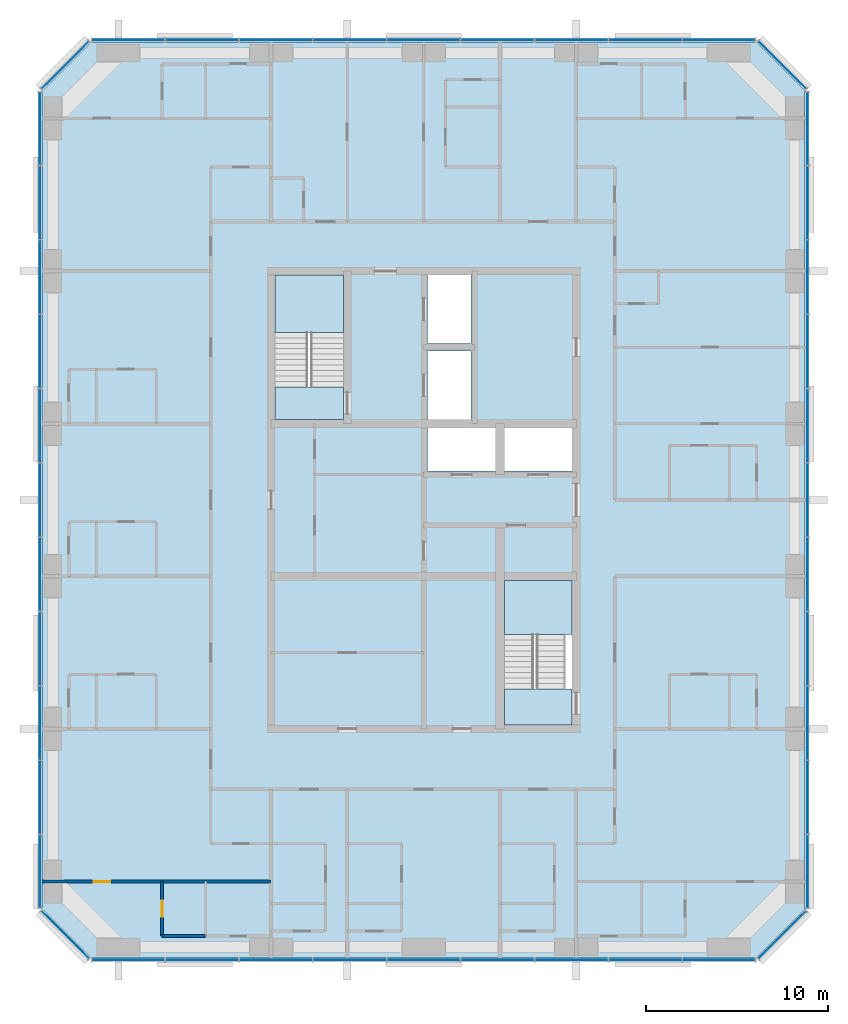
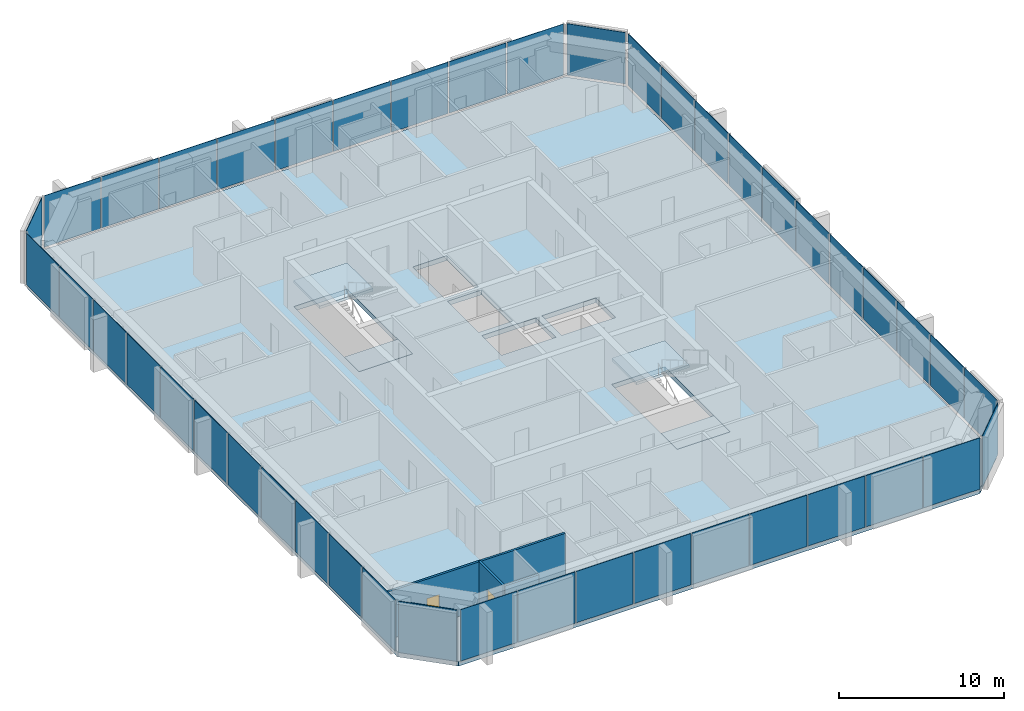
# One storey, part 6 of 12: 44 plates, 5 slabs, 3 walls, 2 doors, 2 openings, 10 elements without a shape of their own.
"""IFC4 building model written with IfcOpenShell, lengths in metres."""

from ifc_helpers import new_model, si_unit, direction, frame, frame_2d, origin, origin_2d, place, context, subcontext, project, spatial, polyline, rectangle, outline, extrude, material, layer, layer_set, type_object, element, fill, aggregate, save


model = new_model("IFC4")

# Units and contexts
model_context = context("Model", 3, precision=1e-05, world=origin(), true_north=direction((0.0, 1.0)))
body_context = subcontext(model_context, "Body", "Model", "MODEL_VIEW")
ifc_project = project(units=[si_unit("LENGTHUNIT", "METRE"), si_unit("AREAUNIT", "SQUARE_METRE"), si_unit("VOLUMEUNIT", "CUBIC_METRE"), si_unit("PLANEANGLEUNIT", "RADIAN"), si_unit("MASSUNIT", "GRAM", prefix="KILO")], contexts=[model_context])

# Site, building, storey
site_placement = place(None, origin())
site = spatial("IfcSite", under=ifc_project, at=site_placement, CompositionType="ELEMENT")
building_placement = place(site_placement, origin())
building = spatial("IfcBuilding", under=site, at=building_placement, Name="Dunama Terrace Hotel", CompositionType="ELEMENT")
storey_placement = place(building_placement, frame((0.0, 0.0, 249.0)))
storey = spatial("IfcBuildingStorey", under=building, at=storey_placement, Name="L64", CompositionType="ELEMENT", Elevation=249.0)

# Curtain wall, plates
ifc_material_1 = material(Name="Aluminium curtain wall system", Category="aluminium")
curtain_wall_type = type_object("IfcCurtainWallType", Name="Unitised fritted glass wall CW-D", PredefinedType="NOTDEFINED", material=ifc_material_1)
curtain_wall_1_placement = place(storey_placement, origin())
curtain_wall_1 = element("IfcCurtainWall", 1, at=curtain_wall_1_placement, inside=storey, type_object=curtain_wall_type, Name="Unitised fritted glass wall CW-D L64", PredefinedType="NOTDEFINED")
ifc_material_2 = material(Name="Laminated glass", Category="glass")
ifc_layer_1 = layer(ifc_material_2, 0.035888671875)
ifc_layer_set_1 = layer_set([ifc_layer_1], Name="CWD clear glass panel")
plate_type_1 = type_object("IfcPlateType", Name="CWD clear glass panel", PredefinedType="CURTAIN_PANEL", material=ifc_layer_set_1)
plate_1_placement = place(storey_placement, frame((25.467041015625, 4.080078125, 0.0849609375), z_axis=(0.0, 0.0, 1.0), x_axis=(1.0, 0.0, 0.0)))
plate_1 = element("IfcPlate", 2, at=plate_1_placement, type_object=plate_type_1, Name="CWD clear glass panel", PredefinedType="CURTAIN_PANEL", context=body_context, shape_type="SweptSolid", body=[
    extrude(rectangle(XDim=3.99658203125, YDim=0.035888671875, at=origin_2d()), origin(), (0.0, 0.0, 1.0), 3.81494140625),
])
plate_2_placement = place(storey_placement, frame((37.6669921875, 4.080078125, 0.0849609375), z_axis=(0.0, 0.0, 1.0), x_axis=(1.0, 0.0, 0.0)))
plate_2 = element("IfcPlate", 3, at=plate_2_placement, type_object=plate_type_1, Name="CWD clear glass panel", PredefinedType="CURTAIN_PANEL", context=body_context, shape_type="SweptSolid", body=[
    extrude(rectangle(XDim=3.99658203125, YDim=0.035888671875, at=origin_2d()), origin(), (0.0, 0.0, 1.0), 3.81494140625),
])
plate_3_placement = place(storey_placement, frame((49.84912109375, 4.080078125, 0.0849609375), z_axis=(0.0, 0.0, 1.0), x_axis=(1.0, 0.0, 0.0)))
plate_3 = element("IfcPlate", 4, at=plate_3_placement, type_object=plate_type_1, Name="CWD clear glass panel", PredefinedType="CURTAIN_PANEL", context=body_context, shape_type="SweptSolid", body=[
    extrude(rectangle(XDim=3.961669921875, YDim=0.035888671875, at=origin_2d()), origin(), (0.0, 0.0, 1.0), 3.81494140625),
])

curtain_wall_2_placement = place(storey_placement, origin())
curtain_wall_2 = element("IfcCurtainWall", 5, at=curtain_wall_2_placement, inside=storey, type_object=curtain_wall_type, Name="Unitised fritted glass wall CW-D L64", PredefinedType="NOTDEFINED")
plate_4_placement = place(storey_placement, frame((54.719970703125, 13.035888671875, 0.0849609375), z_axis=(0.0, 0.0, 1.0), x_axis=(0.0, 1.0, 0.0)))
plate_4 = element("IfcPlate", 6, at=plate_4_placement, type_object=plate_type_1, Name="CWD clear glass panel", PredefinedType="CURTAIN_PANEL", context=body_context, shape_type="SweptSolid", body=[
    extrude(rectangle(XDim=4.02099609375, YDim=0.035888671875, at=origin_2d()), origin(), (0.0, 0.0, 1.0), 3.81494140625),
])
plate_5_placement = place(storey_placement, frame((54.719970703125, 25.30908203125, 0.0849609375), z_axis=(0.0, 0.0, 1.0), x_axis=(0.0, 1.0, 0.0)))
plate_5 = element("IfcPlate", 7, at=plate_5_placement, type_object=plate_type_1, Name="CWD clear glass panel", PredefinedType="CURTAIN_PANEL", context=body_context, shape_type="SweptSolid", body=[
    extrude(rectangle(XDim=4.02099609375, YDim=0.035888671875, at=origin_2d()), origin(), (0.0, 0.0, 1.0), 3.81494140625),
])
plate_6_placement = place(storey_placement, frame((54.719970703125, 37.58203125, 0.0849609375), z_axis=(0.0, 0.0, 1.0), x_axis=(0.0, 1.0, 0.0)))
plate_6 = element("IfcPlate", 8, at=plate_6_placement, type_object=plate_type_1, Name="CWD clear glass panel", PredefinedType="CURTAIN_PANEL", context=body_context, shape_type="SweptSolid", body=[
    extrude(rectangle(XDim=4.02099609375, YDim=0.035888671875, at=origin_2d()), origin(), (0.0, 0.0, 1.0), 3.81494140625),
])
plate_7_placement = place(storey_placement, frame((54.719970703125, 49.8369140625, 0.0849609375), z_axis=(0.0, 0.0, 1.0), x_axis=(0.0, 1.0, 0.0)))
plate_7 = element("IfcPlate", 9, at=plate_7_placement, type_object=plate_type_1, Name="CWD clear glass panel", PredefinedType="CURTAIN_PANEL", context=body_context, shape_type="SweptSolid", body=[
    extrude(rectangle(XDim=3.98583984375, YDim=0.035888671875, at=origin_2d()), origin(), (0.0, 0.0, 1.0), 3.81494140625),
])

curtain_wall_3_placement = place(storey_placement, origin())
curtain_wall_3 = element("IfcCurtainWall", 10, at=curtain_wall_3_placement, inside=storey, type_object=curtain_wall_type, Name="Unitised fritted glass wall CW-D L64", PredefinedType="NOTDEFINED")
plate_8_placement = place(storey_placement, frame((45.800048828125, 54.719970703125, 0.0849609375), z_axis=(0.0, 0.0, 1.0), x_axis=(-1.0, 0.0, 0.0)))
plate_8 = element("IfcPlate", 11, at=plate_8_placement, type_object=plate_type_1, Name="CWD clear glass panel", PredefinedType="CURTAIN_PANEL", context=body_context, shape_type="SweptSolid", body=[
    extrude(rectangle(XDim=3.99658203125, YDim=0.035888671875, at=origin_2d()), origin(), (0.0, 0.0, 1.0), 3.81494140625),
])
plate_9_placement = place(storey_placement, frame((33.60009765625, 54.719970703125, 0.0849609375), z_axis=(0.0, 0.0, 1.0), x_axis=(-1.0, 0.0, 0.0)))
plate_9 = element("IfcPlate", 12, at=plate_9_placement, type_object=plate_type_1, Name="CWD clear glass panel", PredefinedType="CURTAIN_PANEL", context=body_context, shape_type="SweptSolid", body=[
    extrude(rectangle(XDim=3.99658203125, YDim=0.035888671875, at=origin_2d()), origin(), (0.0, 0.0, 1.0), 3.81494140625),
])
plate_10_placement = place(storey_placement, frame((21.39990234375, 54.719970703125, 0.0849609375), z_axis=(0.0, 0.0, 1.0), x_axis=(-1.0, 0.0, 0.0)))
plate_10 = element("IfcPlate", 13, at=plate_10_placement, type_object=plate_type_1, Name="CWD clear glass panel", PredefinedType="CURTAIN_PANEL", context=body_context, shape_type="SweptSolid", body=[
    extrude(rectangle(XDim=3.99658203125, YDim=0.035888671875, at=origin_2d()), origin(), (0.0, 0.0, 1.0), 3.81494140625),
])

curtain_wall_4_placement = place(storey_placement, origin())
curtain_wall_4 = element("IfcCurtainWall", 14, at=curtain_wall_4_placement, inside=storey, type_object=curtain_wall_type, Name="Unitised fritted glass wall CW-D L64", PredefinedType="NOTDEFINED")
plate_11_placement = place(storey_placement, frame((12.47998046875, 49.8369140625, 0.0849609375), z_axis=(0.0, 0.0, 1.0), x_axis=(0.0, -1.0, 0.0)))
plate_11 = element("IfcPlate", 15, at=plate_11_placement, type_object=plate_type_1, Name="CWD clear glass panel", PredefinedType="CURTAIN_PANEL", context=body_context, shape_type="SweptSolid", body=[
    extrude(rectangle(XDim=3.98583984375, YDim=0.035888671875, at=origin_2d()), origin(), (0.0, 0.0, 1.0), 3.81494140625),
])
plate_12_placement = place(storey_placement, frame((12.47998046875, 37.58203125, 0.0849609375), z_axis=(0.0, 0.0, 1.0), x_axis=(0.0, -1.0, 0.0)))
plate_12 = element("IfcPlate", 16, at=plate_12_placement, type_object=plate_type_1, Name="CWD clear glass panel", PredefinedType="CURTAIN_PANEL", context=body_context, shape_type="SweptSolid", body=[
    extrude(rectangle(XDim=4.02099609375, YDim=0.035888671875, at=origin_2d()), origin(), (0.0, 0.0, 1.0), 3.81494140625),
])
plate_13_placement = place(storey_placement, frame((12.47998046875, 25.30908203125, 0.0849609375), z_axis=(0.0, 0.0, 1.0), x_axis=(0.0, -1.0, 0.0)))
plate_13 = element("IfcPlate", 17, at=plate_13_placement, type_object=plate_type_1, Name="CWD clear glass panel", PredefinedType="CURTAIN_PANEL", context=body_context, shape_type="SweptSolid", body=[
    extrude(rectangle(XDim=4.02099609375, YDim=0.035888671875, at=origin_2d()), origin(), (0.0, 0.0, 1.0), 3.81494140625),
])
plate_14_placement = place(storey_placement, frame((12.47998046875, 13.035888671875, 0.0849609375), z_axis=(0.0, 0.0, 1.0), x_axis=(0.0, -1.0, 0.0)))
plate_14 = element("IfcPlate", 18, at=plate_14_placement, type_object=plate_type_1, Name="CWD clear glass panel", PredefinedType="CURTAIN_PANEL", context=body_context, shape_type="SweptSolid", body=[
    extrude(rectangle(XDim=4.02099609375, YDim=0.035888671875, at=origin_2d()), origin(), (0.0, 0.0, 1.0), 3.81494140625),
])

# Plate
ifc_material_3 = material(Name="Fritted laminated glass", Category="glass")
ifc_layer_2 = layer(ifc_material_3, 0.035888671875)
ifc_layer_set_2 = layer_set([ifc_layer_2], Name="CWD fritted glass panel")
plate_type_2 = type_object("IfcPlateType", Name="CWD fritted glass panel", PredefinedType="CURTAIN_PANEL", material=ifc_layer_set_2)
plate_15_placement = place(storey_placement, frame((21.39990234375, 4.080078125, 0.0849609375), z_axis=(0.0, 0.0, 1.0), x_axis=(1.0, 0.0, 0.0)))
plate_15 = element("IfcPlate", 19, at=plate_15_placement, type_object=plate_type_2, Name="CWD fritted glass panel", PredefinedType="CURTAIN_PANEL", context=body_context, shape_type="SweptSolid", body=[
    extrude(rectangle(XDim=3.99658203125, YDim=0.035888671875, at=origin_2d()), origin(), (0.0, 0.0, 1.0), 3.81494140625),
])

plate_16_placement = place(storey_placement, frame((33.60009765625, 4.080078125, 0.0849609375), z_axis=(0.0, 0.0, 1.0), x_axis=(1.0, 0.0, 0.0)))
plate_16 = element("IfcPlate", 20, at=plate_16_placement, type_object=plate_type_2, Name="CWD fritted glass panel", PredefinedType="CURTAIN_PANEL", context=body_context, shape_type="SweptSolid", body=[
    extrude(rectangle(XDim=3.99658203125, YDim=0.035888671875, at=origin_2d()), origin(), (0.0, 0.0, 1.0), 3.81494140625),
])

plate_17_placement = place(storey_placement, frame((45.800048828125, 4.080078125, 0.0849609375), z_axis=(0.0, 0.0, 1.0), x_axis=(1.0, 0.0, 0.0)))
plate_17 = element("IfcPlate", 21, at=plate_17_placement, type_object=plate_type_2, Name="CWD fritted glass panel", PredefinedType="CURTAIN_PANEL", context=body_context, shape_type="SweptSolid", body=[
    extrude(rectangle(XDim=3.99658203125, YDim=0.035888671875, at=origin_2d()), origin(), (0.0, 0.0, 1.0), 3.81494140625),
])

plate_18_placement = place(storey_placement, frame((54.719970703125, 8.962890625, 0.0849609375), z_axis=(0.0, 0.0, 1.0), x_axis=(0.0, 1.0, 0.0)))
plate_18 = element("IfcPlate", 22, at=plate_18_placement, type_object=plate_type_2, Name="CWD fritted glass panel", PredefinedType="CURTAIN_PANEL", context=body_context, shape_type="SweptSolid", body=[
    extrude(rectangle(XDim=3.98583984375, YDim=0.035888671875, at=origin_2d()), origin(), (0.0, 0.0, 1.0), 3.81494140625),
])

plate_19_placement = place(storey_placement, frame((54.719970703125, 21.218017578125, 0.0849609375), z_axis=(0.0, 0.0, 1.0), x_axis=(0.0, 1.0, 0.0)))
plate_19 = element("IfcPlate", 23, at=plate_19_placement, type_object=plate_type_2, Name="CWD fritted glass panel", PredefinedType="CURTAIN_PANEL", context=body_context, shape_type="SweptSolid", body=[
    extrude(rectangle(XDim=4.02099609375, YDim=0.035888671875, at=origin_2d()), origin(), (0.0, 0.0, 1.0), 3.81494140625),
])

plate_20_placement = place(storey_placement, frame((54.719970703125, 33.490966796875, 0.0849609375), z_axis=(0.0, 0.0, 1.0), x_axis=(0.0, 1.0, 0.0)))
plate_20 = element("IfcPlate", 24, at=plate_20_placement, type_object=plate_type_2, Name="CWD fritted glass panel", PredefinedType="CURTAIN_PANEL", context=body_context, shape_type="SweptSolid", body=[
    extrude(rectangle(XDim=4.02099609375, YDim=0.035888671875, at=origin_2d()), origin(), (0.0, 0.0, 1.0), 3.81494140625),
])

plate_21_placement = place(storey_placement, frame((54.719970703125, 45.763916015625, 0.0849609375), z_axis=(0.0, 0.0, 1.0), x_axis=(0.0, 1.0, 0.0)))
plate_21 = element("IfcPlate", 25, at=plate_21_placement, type_object=plate_type_2, Name="CWD fritted glass panel", PredefinedType="CURTAIN_PANEL", context=body_context, shape_type="SweptSolid", body=[
    extrude(rectangle(XDim=4.02099609375, YDim=0.035888671875, at=origin_2d()), origin(), (0.0, 0.0, 1.0), 3.81494140625),
])

plate_22_placement = place(storey_placement, frame((49.84912109375, 54.719970703125, 0.0849609375), z_axis=(0.0, 0.0, 1.0), x_axis=(-1.0, 0.0, 0.0)))
plate_22 = element("IfcPlate", 26, at=plate_22_placement, type_object=plate_type_2, Name="CWD fritted glass panel", PredefinedType="CURTAIN_PANEL", context=body_context, shape_type="SweptSolid", body=[
    extrude(rectangle(XDim=3.961669921875, YDim=0.035888671875, at=origin_2d()), origin(), (0.0, 0.0, 1.0), 3.81494140625),
])

plate_23_placement = place(storey_placement, frame((37.6669921875, 54.719970703125, 0.0849609375), z_axis=(0.0, 0.0, 1.0), x_axis=(-1.0, 0.0, 0.0)))
plate_23 = element("IfcPlate", 27, at=plate_23_placement, type_object=plate_type_2, Name="CWD fritted glass panel", PredefinedType="CURTAIN_PANEL", context=body_context, shape_type="SweptSolid", body=[
    extrude(rectangle(XDim=3.99658203125, YDim=0.035888671875, at=origin_2d()), origin(), (0.0, 0.0, 1.0), 3.81494140625),
])

plate_24_placement = place(storey_placement, frame((25.467041015625, 54.719970703125, 0.0849609375), z_axis=(0.0, 0.0, 1.0), x_axis=(-1.0, 0.0, 0.0)))
plate_24 = element("IfcPlate", 28, at=plate_24_placement, type_object=plate_type_2, Name="CWD fritted glass panel", PredefinedType="CURTAIN_PANEL", context=body_context, shape_type="SweptSolid", body=[
    extrude(rectangle(XDim=3.99658203125, YDim=0.035888671875, at=origin_2d()), origin(), (0.0, 0.0, 1.0), 3.81494140625),
])

# Curtain wall, plate
curtain_wall_5_placement = place(storey_placement, origin())
curtain_wall_5 = element("IfcCurtainWall", 29, at=curtain_wall_5_placement, inside=storey, type_object=curtain_wall_type, Name="Unitised fritted glass wall CW-D L64", PredefinedType="NOTDEFINED")
plate_25_placement = place(storey_placement, frame((13.864990234375, 53.3349609375, 0.0849609375), z_axis=(0.0, 0.0, 1.0), x_axis=(-0.707106781187, -0.707106781187, 0.0)))
plate_25 = element("IfcPlate", 30, at=plate_25_placement, type_object=plate_type_2, Name="CWD fritted glass panel", PredefinedType="CURTAIN_PANEL", context=body_context, shape_type="SweptSolid", body=[
    extrude(rectangle(XDim=3.678466796875, YDim=0.035888671875, at=origin_2d()), origin(), (0.0, 0.0, 1.0), 3.81494140625),
])
aggregate(curtain_wall_5, [plate_25])

# Plate
plate_26_placement = place(storey_placement, frame((12.47998046875, 41.673095703125, 0.0849609375), z_axis=(0.0, 0.0, 1.0), x_axis=(0.0, -1.0, 0.0)))
plate_26 = element("IfcPlate", 31, at=plate_26_placement, type_object=plate_type_2, Name="CWD fritted glass panel", PredefinedType="CURTAIN_PANEL", context=body_context, shape_type="SweptSolid", body=[
    extrude(rectangle(XDim=4.02099609375, YDim=0.035888671875, at=origin_2d()), origin(), (0.0, 0.0, 1.0), 3.81494140625),
])

plate_27_placement = place(storey_placement, frame((12.47998046875, 29.39990234375, 0.0849609375), z_axis=(0.0, 0.0, 1.0), x_axis=(0.0, -1.0, 0.0)))
plate_27 = element("IfcPlate", 32, at=plate_27_placement, type_object=plate_type_2, Name="CWD fritted glass panel", PredefinedType="CURTAIN_PANEL", context=body_context, shape_type="SweptSolid", body=[
    extrude(rectangle(XDim=4.02099609375, YDim=0.035888671875, at=origin_2d()), origin(), (0.0, 0.0, 1.0), 3.81494140625),
])

plate_28_placement = place(storey_placement, frame((12.47998046875, 17.126953125, 0.0849609375), z_axis=(0.0, 0.0, 1.0), x_axis=(0.0, -1.0, 0.0)))
plate_28 = element("IfcPlate", 33, at=plate_28_placement, type_object=plate_type_2, Name="CWD fritted glass panel", PredefinedType="CURTAIN_PANEL", context=body_context, shape_type="SweptSolid", body=[
    extrude(rectangle(XDim=4.02099609375, YDim=0.035888671875, at=origin_2d()), origin(), (0.0, 0.0, 1.0), 3.81494140625),
])

# Curtain wall, plate
curtain_wall_6_placement = place(storey_placement, origin())
curtain_wall_6 = element("IfcCurtainWall", 34, at=curtain_wall_6_placement, inside=storey, type_object=curtain_wall_type, Name="Unitised fritted glass wall CW-D L64", PredefinedType="NOTDEFINED")
plate_29_placement = place(storey_placement, frame((13.864990234375, 5.465087890625, 0.0849609375), z_axis=(0.0, 0.0, 1.0), x_axis=(0.707106781187, -0.707106781187, 0.0)))
plate_29 = element("IfcPlate", 35, at=plate_29_placement, type_object=plate_type_2, Name="CWD fritted glass panel", PredefinedType="CURTAIN_PANEL", context=body_context, shape_type="SweptSolid", body=[
    extrude(rectangle(XDim=3.678466796875, YDim=0.035888671875, at=origin_2d()), origin(), (0.0, 0.0, 1.0), 3.81494140625),
])
aggregate(curtain_wall_6, [plate_29])

# Plate
ifc_material_4 = material(Name="Laminated glass", Category="glass")
ifc_layer_3 = layer(ifc_material_4, 0.035888671875)
ifc_layer_set_3 = layer_set([ifc_layer_3], Name="CWD operable glass panel")
plate_type_3 = type_object("IfcPlateType", Name="CWD operable glass panel", PredefinedType="CURTAIN_PANEL", material=ifc_layer_set_3)
plate_30_placement = place(storey_placement, frame((17.35107421875, 4.080078125, 0.0849609375), z_axis=(0.0, 0.0, 1.0), x_axis=(1.0, 0.0, 0.0)))
plate_30 = element("IfcPlate", 36, at=plate_30_placement, type_object=plate_type_3, Name="CWD operable glass panel", PredefinedType="CURTAIN_PANEL", context=body_context, shape_type="SweptSolid", body=[
    extrude(rectangle(XDim=3.961669921875, YDim=0.035888671875, at=origin_2d()), origin(), (0.0, 0.0, 1.0), 3.81494140625),
])

plate_31_placement = place(storey_placement, frame((29.532958984375, 4.080078125, 0.0849609375), z_axis=(0.0, 0.0, 1.0), x_axis=(1.0, 0.0, 0.0)))
plate_31 = element("IfcPlate", 37, at=plate_31_placement, type_object=plate_type_3, Name="CWD operable glass panel", PredefinedType="CURTAIN_PANEL", context=body_context, shape_type="SweptSolid", body=[
    extrude(rectangle(XDim=3.99658203125, YDim=0.035888671875, at=origin_2d()), origin(), (0.0, 0.0, 1.0), 3.81494140625),
])

plate_32_placement = place(storey_placement, frame((41.73291015625, 4.080078125, 0.0849609375), z_axis=(0.0, 0.0, 1.0), x_axis=(1.0, 0.0, 0.0)))
plate_32 = element("IfcPlate", 38, at=plate_32_placement, type_object=plate_type_3, Name="CWD operable glass panel", PredefinedType="CURTAIN_PANEL", context=body_context, shape_type="SweptSolid", body=[
    extrude(rectangle(XDim=3.99658203125, YDim=0.035888671875, at=origin_2d()), origin(), (0.0, 0.0, 1.0), 3.81494140625),
])

aggregate(curtain_wall_1, [plate_30, plate_15, plate_1, plate_31, plate_16, plate_2, plate_32, plate_17, plate_3])

# Curtain wall, plate
curtain_wall_7_placement = place(storey_placement, origin())
curtain_wall_7 = element("IfcCurtainWall", 39, at=curtain_wall_7_placement, inside=storey, type_object=curtain_wall_type, Name="Unitised fritted glass wall CW-D L64", PredefinedType="NOTDEFINED")
plate_33_placement = place(storey_placement, frame((53.3349609375, 5.465087890625, 0.0849609375), z_axis=(0.0, 0.0, 1.0), x_axis=(0.707106781187, 0.707106781187, 0.0)))
plate_33 = element("IfcPlate", 40, at=plate_33_placement, type_object=plate_type_3, Name="CWD operable glass panel", PredefinedType="CURTAIN_PANEL", context=body_context, shape_type="SweptSolid", body=[
    extrude(rectangle(XDim=3.678466796875, YDim=0.035888671875, at=origin_2d()), origin(), (0.0, 0.0, 1.0), 3.81494140625),
])
aggregate(curtain_wall_7, [plate_33])

# Plate
plate_34_placement = place(storey_placement, frame((54.719970703125, 17.126953125, 0.0849609375), z_axis=(0.0, 0.0, 1.0), x_axis=(0.0, 1.0, 0.0)))
plate_34 = element("IfcPlate", 41, at=plate_34_placement, type_object=plate_type_3, Name="CWD operable glass panel", PredefinedType="CURTAIN_PANEL", context=body_context, shape_type="SweptSolid", body=[
    extrude(rectangle(XDim=4.02099609375, YDim=0.035888671875, at=origin_2d()), origin(), (0.0, 0.0, 1.0), 3.81494140625),
])

plate_35_placement = place(storey_placement, frame((54.719970703125, 29.39990234375, 0.0849609375), z_axis=(0.0, 0.0, 1.0), x_axis=(0.0, 1.0, 0.0)))
plate_35 = element("IfcPlate", 42, at=plate_35_placement, type_object=plate_type_3, Name="CWD operable glass panel", PredefinedType="CURTAIN_PANEL", context=body_context, shape_type="SweptSolid", body=[
    extrude(rectangle(XDim=4.02099609375, YDim=0.035888671875, at=origin_2d()), origin(), (0.0, 0.0, 1.0), 3.81494140625),
])

plate_36_placement = place(storey_placement, frame((54.719970703125, 41.673095703125, 0.0849609375), z_axis=(0.0, 0.0, 1.0), x_axis=(0.0, 1.0, 0.0)))
plate_36 = element("IfcPlate", 43, at=plate_36_placement, type_object=plate_type_3, Name="CWD operable glass panel", PredefinedType="CURTAIN_PANEL", context=body_context, shape_type="SweptSolid", body=[
    extrude(rectangle(XDim=4.02099609375, YDim=0.035888671875, at=origin_2d()), origin(), (0.0, 0.0, 1.0), 3.81494140625),
])

aggregate(curtain_wall_2, [plate_18, plate_4, plate_34, plate_19, plate_5, plate_35, plate_20, plate_6, plate_36, plate_21, plate_7])

# Curtain wall, plate
curtain_wall_8_placement = place(storey_placement, origin())
curtain_wall_8 = element("IfcCurtainWall", 44, at=curtain_wall_8_placement, inside=storey, type_object=curtain_wall_type, Name="Unitised fritted glass wall CW-D L64", PredefinedType="NOTDEFINED")
plate_37_placement = place(storey_placement, frame((53.3349609375, 53.3349609375, 0.0849609375), z_axis=(0.0, 0.0, 1.0), x_axis=(-0.707106781187, 0.707106781187, 0.0)))
plate_37 = element("IfcPlate", 45, at=plate_37_placement, type_object=plate_type_3, Name="CWD operable glass panel", PredefinedType="CURTAIN_PANEL", context=body_context, shape_type="SweptSolid", body=[
    extrude(rectangle(XDim=3.678466796875, YDim=0.035888671875, at=origin_2d()), origin(), (0.0, 0.0, 1.0), 3.81494140625),
])
aggregate(curtain_wall_8, [plate_37])

# Plate
plate_38_placement = place(storey_placement, frame((41.73291015625, 54.719970703125, 0.0849609375), z_axis=(0.0, 0.0, 1.0), x_axis=(-1.0, 0.0, 0.0)))
plate_38 = element("IfcPlate", 46, at=plate_38_placement, type_object=plate_type_3, Name="CWD operable glass panel", PredefinedType="CURTAIN_PANEL", context=body_context, shape_type="SweptSolid", body=[
    extrude(rectangle(XDim=3.99658203125, YDim=0.035888671875, at=origin_2d()), origin(), (0.0, 0.0, 1.0), 3.81494140625),
])

plate_39_placement = place(storey_placement, frame((29.532958984375, 54.719970703125, 0.0849609375), z_axis=(0.0, 0.0, 1.0), x_axis=(-1.0, 0.0, 0.0)))
plate_39 = element("IfcPlate", 47, at=plate_39_placement, type_object=plate_type_3, Name="CWD operable glass panel", PredefinedType="CURTAIN_PANEL", context=body_context, shape_type="SweptSolid", body=[
    extrude(rectangle(XDim=3.99658203125, YDim=0.035888671875, at=origin_2d()), origin(), (0.0, 0.0, 1.0), 3.81494140625),
])

plate_40_placement = place(storey_placement, frame((17.35107421875, 54.719970703125, 0.0849609375), z_axis=(0.0, 0.0, 1.0), x_axis=(-1.0, 0.0, 0.0)))
plate_40 = element("IfcPlate", 48, at=plate_40_placement, type_object=plate_type_3, Name="CWD operable glass panel", PredefinedType="CURTAIN_PANEL", context=body_context, shape_type="SweptSolid", body=[
    extrude(rectangle(XDim=3.961669921875, YDim=0.035888671875, at=origin_2d()), origin(), (0.0, 0.0, 1.0), 3.81494140625),
])

aggregate(curtain_wall_3, [plate_22, plate_8, plate_38, plate_23, plate_9, plate_39, plate_24, plate_10, plate_40])

plate_41_placement = place(storey_placement, frame((12.47998046875, 45.763916015625, 0.0849609375), z_axis=(0.0, 0.0, 1.0), x_axis=(0.0, -1.0, 0.0)))
plate_41 = element("IfcPlate", 49, at=plate_41_placement, type_object=plate_type_3, Name="CWD operable glass panel", PredefinedType="CURTAIN_PANEL", context=body_context, shape_type="SweptSolid", body=[
    extrude(rectangle(XDim=4.02099609375, YDim=0.035888671875, at=origin_2d()), origin(), (0.0, 0.0, 1.0), 3.81494140625),
])

plate_42_placement = place(storey_placement, frame((12.47998046875, 33.490966796875, 0.0849609375), z_axis=(0.0, 0.0, 1.0), x_axis=(0.0, -1.0, 0.0)))
plate_42 = element("IfcPlate", 50, at=plate_42_placement, type_object=plate_type_3, Name="CWD operable glass panel", PredefinedType="CURTAIN_PANEL", context=body_context, shape_type="SweptSolid", body=[
    extrude(rectangle(XDim=4.02099609375, YDim=0.035888671875, at=origin_2d()), origin(), (0.0, 0.0, 1.0), 3.81494140625),
])

plate_43_placement = place(storey_placement, frame((12.47998046875, 21.218017578125, 0.0849609375), z_axis=(0.0, 0.0, 1.0), x_axis=(0.0, -1.0, 0.0)))
plate_43 = element("IfcPlate", 51, at=plate_43_placement, type_object=plate_type_3, Name="CWD operable glass panel", PredefinedType="CURTAIN_PANEL", context=body_context, shape_type="SweptSolid", body=[
    extrude(rectangle(XDim=4.02099609375, YDim=0.035888671875, at=origin_2d()), origin(), (0.0, 0.0, 1.0), 3.81494140625),
])

plate_44_placement = place(storey_placement, frame((12.47998046875, 8.962890625, 0.0849609375), z_axis=(0.0, 0.0, 1.0), x_axis=(0.0, -1.0, 0.0)))
plate_44 = element("IfcPlate", 52, at=plate_44_placement, type_object=plate_type_3, Name="CWD operable glass panel", PredefinedType="CURTAIN_PANEL", context=body_context, shape_type="SweptSolid", body=[
    extrude(rectangle(XDim=3.98583984375, YDim=0.035888671875, at=origin_2d()), origin(), (0.0, 0.0, 1.0), 3.81494140625),
])

aggregate(curtain_wall_4, [plate_11, plate_41, plate_26, plate_12, plate_42, plate_27, plate_13, plate_43, plate_28, plate_14, plate_44])

# Slab
ifc_material_5 = material(Name="Concrete C40/50", Category="concrete")
ifc_layer_4 = layer(ifc_material_5, 0.35009765625)
ifc_layer_set_4 = layer_set([ifc_layer_4], Name="Flat plate 350")
slab_type_1 = type_object("IfcSlabType", Name="Flat plate 350", PredefinedType="FLOOR", material=ifc_layer_set_4)
slab_1_placement = place(storey_placement, frame((0.0, 0.0, -0.35009765625)))
element("IfcSlab", 53, at=slab_1_placement, inside=storey, type_object=slab_type_1, Name="Floor slab L64", PredefinedType="FLOOR", context=body_context, shape_type="SweptSolid", body=[
    extrude(outline(polyline([(15.300048828125, 4.199951171875), (51.89990234375, 4.199951171875), (54.60009765625, 6.89990234375), (54.60009765625, 51.89990234375), (51.89990234375, 54.60009765625), (15.300048828125, 54.60009765625), (12.60009765625, 51.89990234375), (12.60009765625, 6.89990234375), (15.300048828125, 4.199951171875)]), holes=[polyline([(37.60009765625, 31.0), (37.60009765625, 33.39990234375), (33.800048828125, 33.39990234375), (33.800048828125, 31.0), (37.60009765625, 31.0)]), polyline([(41.800048828125, 31.0), (41.800048828125, 33.39990234375), (38.0, 33.39990234375), (38.0, 31.0), (41.800048828125, 31.0)]), polyline([(36.199951171875, 38.0), (36.199951171875, 41.800048828125), (33.800048828125, 41.800048828125), (33.800048828125, 38.0), (36.199951171875, 38.0)]), polyline([(36.199951171875, 33.800048828125), (36.199951171875, 37.60009765625), (33.800048828125, 37.60009765625), (33.800048828125, 33.800048828125), (36.199951171875, 33.800048828125)]), polyline([(29.175048828125, 33.824951171875), (29.175048828125, 41.77490234375), (25.425048828125, 41.77490234375), (25.425048828125, 33.824951171875), (29.175048828125, 33.824951171875)]), polyline([(41.77490234375, 17.02490234375), (41.77490234375, 24.97509765625), (38.050048828125, 24.97509765625), (38.050048828125, 17.02490234375), (41.77490234375, 17.02490234375)])]), origin(), (0.0, 0.0, 1.0), 0.35009765625),
])

# Stair, slabs
ifc_material_6 = material(Name="Concrete C40/50", Category="concrete")
stair_type_1 = type_object("IfcStairType", Name="Stair ST1-3900-1800", PredefinedType="HALF_TURN_STAIR", material=ifc_material_6)
stair_1_placement = place(storey_placement, origin())
stair_1 = element("IfcStair", 54, at=stair_1_placement, inside=storey, type_object=stair_type_1, Name="Stair ST1 L64", PredefinedType="HALF_TURN_STAIR")
ifc_material_7 = material(Name="Concrete C40/50", Category="concrete")
ifc_layer_5 = layer(ifc_material_7, 0.199951171875)
ifc_layer_set_5 = layer_set([ifc_layer_5], Name="Stair landing 200")
slab_type_2 = type_object("IfcSlabType", Name="Stair landing 200", PredefinedType="LANDING", material=ifc_layer_set_5)
slab_2_placement = place(storey_placement, frame((0.0, 0.0, -0.199951171875)))
slab_2 = element("IfcSlab", 55, at=slab_2_placement, type_object=slab_type_2, Name="ST1 landing 1, type S10", PredefinedType="LANDING", context=body_context, shape_type="SweptSolid", body=[
    extrude(outline(polyline([(25.425048828125, 33.824951171875), (29.175048828125, 33.824951171875), (29.175048828125, 35.625), (25.425048828125, 35.625), (25.425048828125, 33.824951171875)])), origin(), (0.0, 0.0, 1.0), 0.199951171875),
])
slab_3_placement = place(storey_placement, frame((0.0, 0.0, 1.75)))
slab_3 = element("IfcSlab", 56, at=slab_3_placement, type_object=slab_type_2, Name="ST1 landing 2, type S10", PredefinedType="LANDING", context=body_context, shape_type="SweptSolid", body=[
    extrude(outline(polyline([(25.425048828125, 38.625), (29.175048828125, 38.625), (29.175048828125, 41.77490234375), (25.425048828125, 41.77490234375), (25.425048828125, 38.625)])), origin(), (0.0, 0.0, 1.0), 0.199951171875),
])
aggregate(stair_1, [slab_2, slab_3])

ifc_material_8 = material(Name="Concrete C40/50", Category="concrete")
stair_type_2 = type_object("IfcStairType", Name="Stair ST2-3900-1600", PredefinedType="HALF_TURN_STAIR", material=ifc_material_8)
stair_2_placement = place(storey_placement, origin())
stair_2 = element("IfcStair", 57, at=stair_2_placement, inside=storey, type_object=stair_type_2, Name="Stair ST2 L64", PredefinedType="HALF_TURN_STAIR")
slab_4_placement = place(storey_placement, frame((0.0, 0.0, -0.199951171875)))
slab_4 = element("IfcSlab", 58, at=slab_4_placement, type_object=slab_type_2, Name="ST2 landing 1, type S10", PredefinedType="LANDING", context=body_context, shape_type="SweptSolid", body=[
    extrude(outline(polyline([(38.050048828125, 17.02490234375), (41.77490234375, 17.02490234375), (41.77490234375, 19.0), (38.050048828125, 19.0), (38.050048828125, 17.02490234375)])), origin(), (0.0, 0.0, 1.0), 0.199951171875),
])
slab_5_placement = place(storey_placement, frame((0.0, 0.0, 1.75)))
slab_5 = element("IfcSlab", 59, at=slab_5_placement, type_object=slab_type_2, Name="ST2 landing 2, type S10", PredefinedType="LANDING", context=body_context, shape_type="SweptSolid", body=[
    extrude(outline(polyline([(38.050048828125, 22.0), (41.77490234375, 22.0), (41.77490234375, 24.97509765625), (38.050048828125, 24.97509765625), (38.050048828125, 22.0)])), origin(), (0.0, 0.0, 1.0), 0.199951171875),
])
aggregate(stair_2, [slab_4, slab_5])

# Wall, opening, door
ifc_material_9 = material(Name="Gypsum board partition", Category="masonry")
ifc_layer_6 = layer(ifc_material_9, 0.14990234375)
ifc_layer_set_6 = layer_set([ifc_layer_6], Name="Room partition 150")
wall_type = type_object("IfcWallType", Name="Room partition 150", PredefinedType="PARTITIONING", material=ifc_layer_set_6)
wall_1_placement = place(storey_placement, frame((19.199951171875, 5.39990234375, 0.0), z_axis=(0.0, 0.0, 1.0), x_axis=(0.0, 1.0, 0.0)))
wall_1 = element("IfcWall", 60, at=wall_1_placement, inside=storey, type_object=wall_type, Name="Room partition 150 L64", PredefinedType="PARTITIONING", context=body_context, shape_type="SweptSolid", body=[
    extrude(rectangle(XDim=3.0, YDim=0.14990234375, at=frame_2d((1.5, 0.0))), origin(), (0.0, 0.0, 1.0), 3.550048828125),
])
opening_1_placement = place(wall_1_placement, frame((1.050048828125, 0.0, 0.0)))
opening_1 = element("IfcOpeningElement", 61, at=opening_1_placement, cuts=wall_1, Name="Opening L62-64-045", PredefinedType="OPENING", context=body_context, shape_type="SweptSolid", body=[
    extrude(rectangle(XDim=0.89990234375, YDim=2.10009765625, at=frame_2d((0.449951171875, 1.050048828125))), frame((0.0, 0.0849609375, 0.0), z_axis=(0.0, -1.0, 0.0), x_axis=(1.0, 0.0, 0.0)), (0.0, 0.0, 1.0), 0.169921875),
])
ifc_material_10 = material(Name="Timber door with steel frame", Category="steel")
door_type = type_object("IfcDoorType", Name="Suite internal door 900", OperationType="SINGLE_SWING_LEFT", PredefinedType="DOOR", material=ifc_material_10)
door_1_placement = place(opening_1_placement, frame((0.89990234375, 0.0, 0.0), z_axis=(0.0, 0.0, 1.0), x_axis=(-1.0, 0.0, 0.0)))
door_1 = element("IfcDoor", 62, at=door_1_placement, inside=storey, type_object=door_type, Name="Door to dressing room L62-64-045, type D16", OperationType="SINGLE_SWING_RIGHT", OverallHeight=2.10009765625, OverallWidth=0.89990234375, PredefinedType="DOOR", context=body_context, shape_type="SweptSolid", body=[
    extrude(rectangle(XDim=0.89990234375, YDim=2.10009765625, at=frame_2d((0.449951171875, 1.050048828125))), frame((0.0, 0.025146484375, 0.0), z_axis=(0.0, -1.0, 0.0), x_axis=(1.0, 0.0, 0.0)), (0.0, 0.0, 1.0), 0.050048828125),
])
fill(opening_1, door_1)

# Wall
wall_2_placement = place(storey_placement, frame((19.199951171875, 5.39990234375, 0.0), z_axis=(0.0, 0.0, 1.0), x_axis=(1.0, 0.0, 0.0)))
element("IfcWall", 63, at=wall_2_placement, inside=storey, type_object=wall_type, Name="Room partition 150 L64", PredefinedType="PARTITIONING", context=body_context, shape_type="SweptSolid", body=[
    extrude(rectangle(XDim=2.400146484375, YDim=0.14990234375, at=frame_2d((1.2001953125, 0.0))), origin(), (0.0, 0.0, 1.0), 3.550048828125),
])

# Wall, opening, door
wall_3_placement = place(storey_placement, frame((12.58203125, 8.39990234375, 0.0), z_axis=(0.0, 0.0, 1.0), x_axis=(1.0, 0.0, 0.0)))
wall_3 = element("IfcWall", 64, at=wall_3_placement, inside=storey, type_object=wall_type, Name="Room partition 150 L64", PredefinedType="PARTITIONING", context=body_context, shape_type="SweptSolid", body=[
    extrude(rectangle(XDim=12.617919921875, YDim=0.14990234375, at=frame_2d((6.30908203125, 0.0))), origin(), (0.0, 0.0, 1.0), 3.550048828125),
])
opening_2_placement = place(wall_3_placement, frame((2.867919921875, 0.0, 0.0)))
opening_2 = element("IfcOpeningElement", 65, at=opening_2_placement, cuts=wall_3, Name="Opening L62-64-043", PredefinedType="OPENING", context=body_context, shape_type="SweptSolid", body=[
    extrude(rectangle(XDim=0.89990234375, YDim=2.10009765625, at=frame_2d((0.449951171875, 1.050048828125))), frame((0.0, 0.0849609375, 0.0), z_axis=(0.0, -1.0, 0.0), x_axis=(1.0, 0.0, 0.0)), (0.0, 0.0, 1.0), 0.169921875),
])
door_2_placement = place(opening_2_placement, frame((0.89990234375, 0.0, 0.0), z_axis=(0.0, 0.0, 1.0), x_axis=(-1.0, 0.0, 0.0)))
door_2 = element("IfcDoor", 66, at=door_2_placement, inside=storey, type_object=door_type, Name="Door to grand corner suite bedroom L62-64-043, type D16", OperationType="SINGLE_SWING_RIGHT", OverallHeight=2.10009765625, OverallWidth=0.89990234375, PredefinedType="DOOR", context=body_context, shape_type="SweptSolid", body=[
    extrude(rectangle(XDim=0.89990234375, YDim=2.10009765625, at=frame_2d((0.449951171875, 1.050048828125))), frame((0.0, 0.025146484375, 0.0), z_axis=(0.0, -1.0, 0.0), x_axis=(1.0, 0.0, 0.0)), (0.0, 0.0, 1.0), 0.050048828125),
])
fill(opening_2, door_2)

save(model, "model.ifc")
